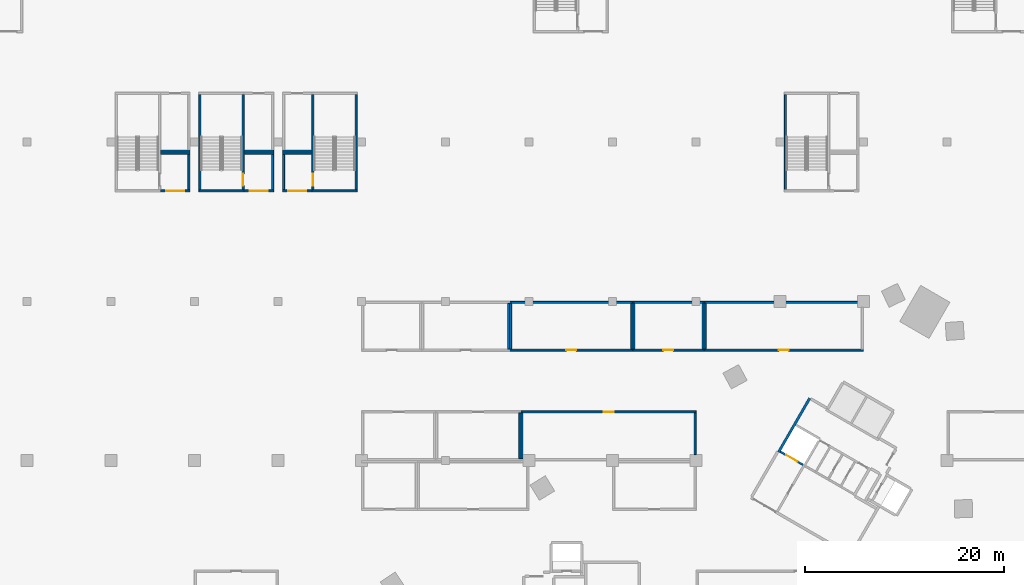
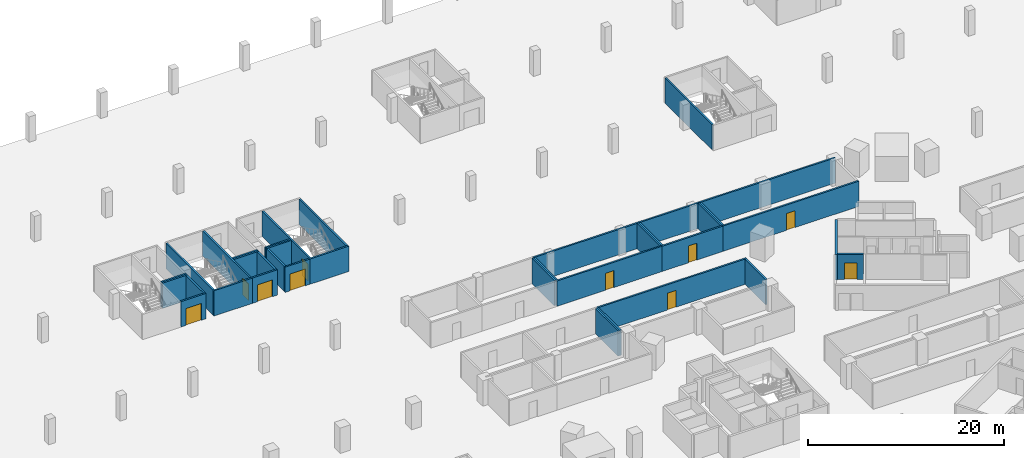
# One storey, part 11 of 37: 37 walls, 10 doors, 10 openings.
"""IFC4 building model written with IfcOpenShell, lengths in metres."""

from ifc_helpers import new_model, si_unit, direction, frame, frame_2d, origin, place, context, subcontext, project, spatial, rectangle, extrude, material, layer, layer_set, type_object, element, fill, save


model = new_model("IFC4")

# Units and contexts
model_context = context("Model", 3, precision=1e-05, world=origin(), true_north=direction((0.0, 1.0)))
body_context = subcontext(model_context, "Body", "Model", "MODEL_VIEW")
ifc_project = project(units=[si_unit("LENGTHUNIT", "METRE"), si_unit("AREAUNIT", "SQUARE_METRE"), si_unit("VOLUMEUNIT", "CUBIC_METRE"), si_unit("PLANEANGLEUNIT", "RADIAN"), si_unit("MASSUNIT", "GRAM", prefix="KILO")], contexts=[model_context])

# Site, building, storey
site_placement = place(None, origin())
site = spatial("IfcSite", under=ifc_project, at=site_placement, CompositionType="ELEMENT")
building_placement = place(site_placement, origin())
building = spatial("IfcBuilding", under=site, at=building_placement, Name="Tamra Quay Hotel Tower", CompositionType="ELEMENT")
storey_placement = place(building_placement, frame((0.0, 0.0, -3.60009765625)))
storey = spatial("IfcBuildingStorey", under=building, at=storey_placement, Name="B1", CompositionType="ELEMENT", Elevation=-3.60009765625)

# Wall
ifc_material_1 = material(Name="Blockwork", Category="masonry")
ifc_layer_1 = layer(ifc_material_1, 0.199951171875)
ifc_layer_set_1 = layer_set([ifc_layer_1], Name="Car park room wall 200")
wall_type_1 = type_object("IfcWallType", Name="Car park room wall 200", PredefinedType="PARTITIONING", material=ifc_layer_set_1)
wall_1_placement = place(storey_placement, frame((-22.800048828125, 16.199951171875, 0.0), z_axis=(0.0, 0.0, 1.0), x_axis=(0.0, 1.0, 0.0)))
element("IfcWall", 1, at=wall_1_placement, inside=storey, type_object=wall_type_1, Name="PW", PredefinedType="PARTITIONING", context=body_context, shape_type="SweptSolid", body=[
    extrude(rectangle(XDim=4.60009765625, YDim=0.199951171875, at=frame_2d((2.300048828125, 0.0))), origin(), (0.0, 0.0, 1.0), 3.150146484375),
])

# Wall, opening, door
wall_2_placement = place(storey_placement, frame((-22.699951171875, 20.89990234375, 0.0), z_axis=(0.0, 0.0, 1.0), x_axis=(1.0, 0.0, 0.0)))
wall_2 = element("IfcWall", 2, at=wall_2_placement, inside=storey, type_object=wall_type_1, Name="PW", PredefinedType="PARTITIONING", context=body_context, shape_type="SweptSolid", body=[
    extrude(rectangle(XDim=17.599853515625, YDim=0.199951171875, at=frame_2d((8.7998046875, 0.0))), origin(), (0.0, 0.0, 1.0), 3.150146484375),
])
opening_1_placement = place(wall_2_placement, frame((8.300048828125, 0.0, 0.0)))
opening_1 = element("IfcOpeningElement", 3, at=opening_1_placement, cuts=wall_2, Name="Opening PD1", PredefinedType="OPENING", context=body_context, shape_type="SweptSolid", body=[
    extrude(rectangle(XDim=1.0, YDim=2.10009765625, at=frame_2d((0.5, 1.050048828125))), frame((0.0, 0.10986328125, 0.0), z_axis=(0.0, -1.0, 0.0), x_axis=(1.0, 0.0, 0.0)), (0.0, 0.0, 1.0), 0.219970703125),
])
ifc_material_2 = material(Name="Car park door 1000 x 2100")
door_type_1 = type_object("IfcDoorType", Name="Car park door 1000 x 2100", OperationType="NOTDEFINED", PredefinedType="DOOR", material=ifc_material_2)
door_1_placement = place(opening_1_placement, origin())
door_1 = element("IfcDoor", 4, at=door_1_placement, inside=storey, type_object=door_type_1, Name="PD1", OperationType="SINGLE_SWING_LEFT", OverallHeight=2.10009765625, OverallWidth=1.0, PredefinedType="DOOR", context=body_context, shape_type="SweptSolid", body=[
    extrude(rectangle(XDim=1.0, YDim=2.10009765625, at=frame_2d((0.5, 1.050048828125))), frame((0.0, 0.02490234375, 0.0), z_axis=(0.0, -1.0, 0.0), x_axis=(1.0, 0.0, 0.0)), (0.0, 0.0, 1.0), 0.050048828125),
])
fill(opening_1, door_1)

# Walls
wall_3_placement = place(storey_placement, frame((-22.60009765625, 16.199951171875, 0.0), z_axis=(0.0, 0.0, 1.0), x_axis=(0.0, 1.0, 0.0)))
element("IfcWall", 5, at=wall_3_placement, inside=storey, type_object=wall_type_1, Name="PW", PredefinedType="PARTITIONING", context=body_context, shape_type="SweptSolid", body=[
    extrude(rectangle(XDim=4.60009765625, YDim=0.199951171875, at=frame_2d((2.300048828125, 0.0))), origin(), (0.0, 0.0, 1.0), 3.150146484375),
])
wall_4_placement = place(storey_placement, frame((-5.199951171875, 16.60009765625, 0.0), z_axis=(0.0, 0.0, 1.0), x_axis=(0.0, 1.0, 0.0)))
element("IfcWall", 6, at=wall_4_placement, inside=storey, type_object=wall_type_1, Name="PW", PredefinedType="PARTITIONING", context=body_context, shape_type="SweptSolid", body=[
    extrude(rectangle(XDim=4.199951171875, YDim=0.199951171875, at=frame_2d((2.10009765625, 0.0))), origin(), (0.0, 0.0, 1.0), 3.150146484375),
])
wall_5_placement = place(storey_placement, frame((-23.9453125, 27.199951171875, 0.0), z_axis=(0.0, 0.0, 1.0), x_axis=(0.0, 1.0, 0.0)))
element("IfcWall", 7, at=wall_5_placement, inside=storey, type_object=wall_type_1, Name="PW", PredefinedType="PARTITIONING", context=body_context, shape_type="SweptSolid", body=[
    extrude(rectangle(XDim=4.60009765625, YDim=0.199951171875, at=frame_2d((2.300048828125, 0.0))), origin(), (0.0, 0.0, 1.0), 3.150146484375),
])

# Wall, opening, door
wall_6_placement = place(storey_placement, frame((-23.84521484375, 27.10009765625, 0.0), z_axis=(0.0, 0.0, 1.0), x_axis=(1.0, 0.0, 0.0)))
wall_6 = element("IfcWall", 8, at=wall_6_placement, inside=storey, type_object=wall_type_1, Name="PW", PredefinedType="PARTITIONING", context=body_context, shape_type="SweptSolid", body=[
    extrude(rectangle(XDim=12.37890625, YDim=0.199951171875, at=frame_2d((6.189453125, 0.0))), origin(), (0.0, 0.0, 1.0), 3.150146484375),
])
opening_2_placement = place(wall_6_placement, frame((5.689453125, 0.0, 0.0)))
opening_2 = element("IfcOpeningElement", 9, at=opening_2_placement, cuts=wall_6, Name="Opening PD1", PredefinedType="OPENING", context=body_context, shape_type="SweptSolid", body=[
    extrude(rectangle(XDim=1.0, YDim=2.10009765625, at=frame_2d((0.5, 1.050048828125))), frame((0.0, 0.10986328125, 0.0), z_axis=(0.0, -1.0, 0.0), x_axis=(1.0, 0.0, 0.0)), (0.0, 0.0, 1.0), 0.219970703125),
])
door_2_placement = place(opening_2_placement, origin())
door_2 = element("IfcDoor", 10, at=door_2_placement, inside=storey, type_object=door_type_1, Name="PD1", OperationType="SINGLE_SWING_LEFT", OverallHeight=2.10009765625, OverallWidth=1.0, PredefinedType="DOOR", context=body_context, shape_type="SweptSolid", body=[
    extrude(rectangle(XDim=1.0, YDim=2.10009765625, at=frame_2d((0.5, 1.050048828125))), frame((0.0, 0.02490234375, 0.0), z_axis=(0.0, -1.0, 0.0), x_axis=(1.0, 0.0, 0.0)), (0.0, 0.0, 1.0), 0.050048828125),
])
fill(opening_2, door_2)

# Walls
wall_7_placement = place(storey_placement, frame((-23.84521484375, 31.89990234375, 0.0), z_axis=(0.0, 0.0, 1.0), x_axis=(1.0, 0.0, 0.0)))
element("IfcWall", 11, at=wall_7_placement, inside=storey, type_object=wall_type_1, Name="PW", PredefinedType="PARTITIONING", context=body_context, shape_type="SweptSolid", body=[
    extrude(rectangle(XDim=12.37890625, YDim=0.199951171875, at=frame_2d((6.189453125, 0.0))), origin(), (0.0, 0.0, 1.0), 3.150146484375),
])
for number, where, z_axis, x_axis, name in (
    (12, (-23.745361328125, 27.199951171875, 0.0), (0.0, 0.0, 1.0), (0.0, 1.0, 0.0), "PW"),
    (13, (-11.56640625, 27.199951171875, 0.0), (0.0, 0.0, 1.0), (0.0, 1.0, 0.0), "PW"),
):
    element("IfcWall", number, at=place(storey_placement, frame(where, z_axis=z_axis, x_axis=x_axis)), inside=storey, type_object=wall_type_1, Name=name, PredefinedType="PARTITIONING", context=body_context, shape_type="SweptSolid", body=[
        extrude(rectangle(XDim=4.60009765625, YDim=0.199951171875, at=frame_2d((2.300048828125, 0.0))), origin(), (0.0, 0.0, 1.0), 3.150146484375),
    ])

# Wall, opening, door
wall_8_placement = place(storey_placement, frame((-11.46630859375, 27.10009765625, 0.0), z_axis=(0.0, 0.0, 1.0), x_axis=(1.0, 0.0, 0.0)))
wall_8 = element("IfcWall", 14, at=wall_8_placement, inside=storey, type_object=wall_type_1, Name="PW", PredefinedType="PARTITIONING", context=body_context, shape_type="SweptSolid", body=[
    extrude(rectangle(XDim=7.166259765625, YDim=0.199951171875, at=frame_2d((3.5830078125, 0.0))), origin(), (0.0, 0.0, 1.0), 3.150146484375),
])
opening_3_placement = place(wall_8_placement, frame((3.083251953125, 0.0, 0.0)))
opening_3 = element("IfcOpeningElement", 15, at=opening_3_placement, cuts=wall_8, Name="Opening PD1", PredefinedType="OPENING", context=body_context, shape_type="SweptSolid", body=[
    extrude(rectangle(XDim=1.0, YDim=2.10009765625, at=frame_2d((0.5, 1.050048828125))), frame((0.0, 0.10986328125, 0.0), z_axis=(0.0, -1.0, 0.0), x_axis=(1.0, 0.0, 0.0)), (0.0, 0.0, 1.0), 0.219970703125),
])
door_3_placement = place(opening_3_placement, origin())
door_3 = element("IfcDoor", 16, at=door_3_placement, inside=storey, type_object=door_type_1, Name="PD1", OperationType="SINGLE_SWING_LEFT", OverallHeight=2.10009765625, OverallWidth=1.0, PredefinedType="DOOR", context=body_context, shape_type="SweptSolid", body=[
    extrude(rectangle(XDim=1.0, YDim=2.10009765625, at=frame_2d((0.5, 1.050048828125))), frame((0.0, 0.02490234375, 0.0), z_axis=(0.0, -1.0, 0.0), x_axis=(1.0, 0.0, 0.0)), (0.0, 0.0, 1.0), 0.050048828125),
])
fill(opening_3, door_3)

# Walls
wall_9_placement = place(storey_placement, frame((-11.46630859375, 31.89990234375, 0.0), z_axis=(0.0, 0.0, 1.0), x_axis=(1.0, 0.0, 0.0)))
element("IfcWall", 17, at=wall_9_placement, inside=storey, type_object=wall_type_1, Name="PW", PredefinedType="PARTITIONING", context=body_context, shape_type="SweptSolid", body=[
    extrude(rectangle(XDim=7.166259765625, YDim=0.199951171875, at=frame_2d((3.5830078125, 0.0))), origin(), (0.0, 0.0, 1.0), 3.150146484375),
])
for number, where, z_axis, x_axis, name in (
    (18, (-11.3662109375, 27.199951171875, 0.0), (0.0, 0.0, 1.0), (0.0, 1.0, 0.0), "PW"),
    (19, (-4.39990234375, 27.199951171875, 0.0), (0.0, 0.0, 1.0), (0.0, 1.0, 0.0), "PW"),
):
    element("IfcWall", number, at=place(storey_placement, frame(where, z_axis=z_axis, x_axis=x_axis)), inside=storey, type_object=wall_type_1, Name=name, PredefinedType="PARTITIONING", context=body_context, shape_type="SweptSolid", body=[
        extrude(rectangle(XDim=4.60009765625, YDim=0.199951171875, at=frame_2d((2.300048828125, 0.0))), origin(), (0.0, 0.0, 1.0), 3.150146484375),
    ])

# Wall, opening, door
wall_10_placement = place(storey_placement, frame((-4.300048828125, 27.10009765625, 0.0), z_axis=(0.0, 0.0, 1.0), x_axis=(1.0, 0.0, 0.0)))
wall_10 = element("IfcWall", 20, at=wall_10_placement, inside=storey, type_object=wall_type_1, Name="PW", PredefinedType="PARTITIONING", context=body_context, shape_type="SweptSolid", body=[
    extrude(rectangle(XDim=16.0, YDim=0.199951171875, at=frame_2d((8.0, 0.0))), origin(), (0.0, 0.0, 1.0), 3.150146484375),
])
opening_4_placement = place(wall_10_placement, frame((7.5, 0.0, 0.0)))
opening_4 = element("IfcOpeningElement", 21, at=opening_4_placement, cuts=wall_10, Name="Opening PD1", PredefinedType="OPENING", context=body_context, shape_type="SweptSolid", body=[
    extrude(rectangle(XDim=1.0, YDim=2.10009765625, at=frame_2d((0.5, 1.050048828125))), frame((0.0, 0.10986328125, 0.0), z_axis=(0.0, -1.0, 0.0), x_axis=(1.0, 0.0, 0.0)), (0.0, 0.0, 1.0), 0.219970703125),
])
door_4_placement = place(opening_4_placement, origin())
door_4 = element("IfcDoor", 22, at=door_4_placement, inside=storey, type_object=door_type_1, Name="PD1", OperationType="SINGLE_SWING_LEFT", OverallHeight=2.10009765625, OverallWidth=1.0, PredefinedType="DOOR", context=body_context, shape_type="SweptSolid", body=[
    extrude(rectangle(XDim=1.0, YDim=2.10009765625, at=frame_2d((0.5, 1.050048828125))), frame((0.0, 0.02490234375, 0.0), z_axis=(0.0, -1.0, 0.0), x_axis=(1.0, 0.0, 0.0)), (0.0, 0.0, 1.0), 0.050048828125),
])
fill(opening_4, door_4)

# Walls
wall_11_placement = place(storey_placement, frame((-4.300048828125, 31.89990234375, 0.0), z_axis=(0.0, 0.0, 1.0), x_axis=(1.0, 0.0, 0.0)))
element("IfcWall", 23, at=wall_11_placement, inside=storey, type_object=wall_type_1, Name="PW", PredefinedType="PARTITIONING", context=body_context, shape_type="SweptSolid", body=[
    extrude(rectangle(XDim=16.0, YDim=0.199951171875, at=frame_2d((8.0, 0.0))), origin(), (0.0, 0.0, 1.0), 3.150146484375),
])
wall_12_placement = place(storey_placement, frame((-4.199951171875, 27.199951171875, 0.0), z_axis=(0.0, 0.0, 1.0), x_axis=(0.0, 1.0, 0.0)))
element("IfcWall", 24, at=wall_12_placement, inside=storey, type_object=wall_type_1, Name="PW", PredefinedType="PARTITIONING", context=body_context, shape_type="SweptSolid", body=[
    extrude(rectangle(XDim=4.60009765625, YDim=0.199951171875, at=frame_2d((2.300048828125, 0.0))), origin(), (0.0, 0.0, 1.0), 3.150146484375),
])

# Wall, opening, door
wall_13_placement = place(storey_placement, frame((-58.89990234375, 43.10009765625, 0.0), z_axis=(0.0, 0.0, 1.0), x_axis=(1.0, 0.0, 0.0)))
wall_13 = element("IfcWall", 25, at=wall_13_placement, inside=storey, type_object=wall_type_1, Name="PW", PredefinedType="PARTITIONING", context=body_context, shape_type="SweptSolid", body=[
    extrude(rectangle(XDim=2.949951171875, YDim=0.199951171875, at=frame_2d((1.47509765625, 0.0))), origin(), (0.0, 0.0, 1.0), 3.150146484375),
])
opening_5_placement = place(wall_13_placement, frame((0.574951171875, 0.0, 0.0)))
opening_5 = element("IfcOpeningElement", 26, at=opening_5_placement, cuts=wall_13, Name="Opening PD2", PredefinedType="OPENING", context=body_context, shape_type="SweptSolid", body=[
    extrude(rectangle(XDim=1.800048828125, YDim=2.10009765625, at=frame_2d((0.89990234375, 1.050048828125))), frame((0.0, 0.10986328125, 0.0), z_axis=(0.0, -1.0, 0.0), x_axis=(1.0, 0.0, 0.0)), (0.0, 0.0, 1.0), 0.219970703125),
])
ifc_material_3 = material(Name="Plant door 1800 x 2100")
door_type_2 = type_object("IfcDoorType", Name="Plant door 1800 x 2100", OperationType="DOUBLE_DOOR_SINGLE_SWING", PredefinedType="DOOR", material=ifc_material_3)
door_5_placement = place(opening_5_placement, origin())
door_5 = element("IfcDoor", 27, at=door_5_placement, inside=storey, type_object=door_type_2, Name="PD2", OperationType="DOUBLE_DOOR_SINGLE_SWING", OverallHeight=2.10009765625, OverallWidth=1.800048828125, PredefinedType="DOOR", context=body_context, shape_type="SweptSolid", body=[
    extrude(rectangle(XDim=1.800048828125, YDim=2.10009765625, at=frame_2d((0.89990234375, 1.050048828125))), frame((0.0, 0.02490234375, 0.0), z_axis=(0.0, -1.0, 0.0), x_axis=(1.0, 0.0, 0.0)), (0.0, 0.0, 1.0), 0.050048828125),
])
fill(opening_5, door_5)

# Walls
wall_14_placement = place(storey_placement, frame((-58.89990234375, 46.89990234375, 0.0), z_axis=(0.0, 0.0, 1.0), x_axis=(1.0, 0.0, 0.0)))
element("IfcWall", 28, at=wall_14_placement, inside=storey, type_object=wall_type_1, Name="PW", PredefinedType="PARTITIONING", context=body_context, shape_type="SweptSolid", body=[
    extrude(rectangle(XDim=2.949951171875, YDim=0.199951171875, at=frame_2d((1.47509765625, 0.0))), origin(), (0.0, 0.0, 1.0), 3.150146484375),
])
wall_15_placement = place(storey_placement, frame((-56.050048828125, 43.199951171875, 0.0), z_axis=(0.0, 0.0, 1.0), x_axis=(0.0, 1.0, 0.0)))
element("IfcWall", 29, at=wall_15_placement, inside=storey, type_object=wall_type_1, Name="PW", PredefinedType="PARTITIONING", context=body_context, shape_type="SweptSolid", body=[
    extrude(rectangle(XDim=3.60009765625, YDim=0.199951171875, at=frame_2d((1.800048828125, 0.0))), origin(), (0.0, 0.0, 1.0), 3.150146484375),
])
wall_16_placement = place(storey_placement, frame((-58.89990234375, 47.10009765625, 0.0), z_axis=(0.0, 0.0, 1.0), x_axis=(1.0, 0.0, 0.0)))
element("IfcWall", 30, at=wall_16_placement, inside=storey, type_object=wall_type_1, Name="PW", PredefinedType="PARTITIONING", context=body_context, shape_type="SweptSolid", body=[
    extrude(rectangle(XDim=2.949951171875, YDim=0.199951171875, at=frame_2d((1.47509765625, 0.0))), origin(), (0.0, 0.0, 1.0), 3.150146484375),
])

# Wall, opening, door
wall_17_placement = place(storey_placement, frame((-50.5, 43.10009765625, 0.0), z_axis=(0.0, 0.0, 1.0), x_axis=(1.0, 0.0, 0.0)))
wall_17 = element("IfcWall", 31, at=wall_17_placement, inside=storey, type_object=wall_type_1, Name="PW", PredefinedType="PARTITIONING", context=body_context, shape_type="SweptSolid", body=[
    extrude(rectangle(XDim=2.949951171875, YDim=0.199951171875, at=frame_2d((1.47509765625, 0.0))), origin(), (0.0, 0.0, 1.0), 3.150146484375),
])
opening_6_placement = place(wall_17_placement, frame((0.574951171875, 0.0, 0.0)))
opening_6 = element("IfcOpeningElement", 32, at=opening_6_placement, cuts=wall_17, Name="Opening PD2", PredefinedType="OPENING", context=body_context, shape_type="SweptSolid", body=[
    extrude(rectangle(XDim=1.800048828125, YDim=2.10009765625, at=frame_2d((0.89990234375, 1.050048828125))), frame((0.0, 0.10986328125, 0.0), z_axis=(0.0, -1.0, 0.0), x_axis=(1.0, 0.0, 0.0)), (0.0, 0.0, 1.0), 0.219970703125),
])
door_6_placement = place(opening_6_placement, origin())
door_6 = element("IfcDoor", 33, at=door_6_placement, inside=storey, type_object=door_type_2, Name="PD2", OperationType="DOUBLE_DOOR_SINGLE_SWING", OverallHeight=2.10009765625, OverallWidth=1.800048828125, PredefinedType="DOOR", context=body_context, shape_type="SweptSolid", body=[
    extrude(rectangle(XDim=1.800048828125, YDim=2.10009765625, at=frame_2d((0.89990234375, 1.050048828125))), frame((0.0, 0.02490234375, 0.0), z_axis=(0.0, -1.0, 0.0), x_axis=(1.0, 0.0, 0.0)), (0.0, 0.0, 1.0), 0.050048828125),
])
fill(opening_6, door_6)

# Walls
wall_18_placement = place(storey_placement, frame((-50.5, 46.89990234375, 0.0), z_axis=(0.0, 0.0, 1.0), x_axis=(1.0, 0.0, 0.0)))
element("IfcWall", 34, at=wall_18_placement, inside=storey, type_object=wall_type_1, Name="PW", PredefinedType="PARTITIONING", context=body_context, shape_type="SweptSolid", body=[
    extrude(rectangle(XDim=2.949951171875, YDim=0.199951171875, at=frame_2d((1.47509765625, 0.0))), origin(), (0.0, 0.0, 1.0), 3.150146484375),
])
wall_19_placement = place(storey_placement, frame((-47.64990234375, 43.199951171875, 0.0), z_axis=(0.0, 0.0, 1.0), x_axis=(0.0, 1.0, 0.0)))
element("IfcWall", 35, at=wall_19_placement, inside=storey, type_object=wall_type_1, Name="PW", PredefinedType="PARTITIONING", context=body_context, shape_type="SweptSolid", body=[
    extrude(rectangle(XDim=3.60009765625, YDim=0.199951171875, at=frame_2d((1.800048828125, 0.0))), origin(), (0.0, 0.0, 1.0), 3.150146484375),
])
wall_20_placement = place(storey_placement, frame((-50.5, 47.10009765625, 0.0), z_axis=(0.0, 0.0, 1.0), x_axis=(1.0, 0.0, 0.0)))
element("IfcWall", 36, at=wall_20_placement, inside=storey, type_object=wall_type_1, Name="PW", PredefinedType="PARTITIONING", context=body_context, shape_type="SweptSolid", body=[
    extrude(rectangle(XDim=2.949951171875, YDim=0.199951171875, at=frame_2d((1.47509765625, 0.0))), origin(), (0.0, 0.0, 1.0), 3.150146484375),
])

# Wall, opening, door
wall_21_placement = place(storey_placement, frame((-46.64990234375, 43.10009765625, 0.0), z_axis=(0.0, 0.0, 1.0), x_axis=(1.0, 0.0, 0.0)))
wall_21 = element("IfcWall", 37, at=wall_21_placement, inside=storey, type_object=wall_type_1, Name="PW", PredefinedType="PARTITIONING", context=body_context, shape_type="SweptSolid", body=[
    extrude(rectangle(XDim=2.949951171875, YDim=0.199951171875, at=frame_2d((1.47509765625, 0.0))), origin(), (0.0, 0.0, 1.0), 3.150146484375),
])
opening_7_placement = place(wall_21_placement, frame((0.574951171875, 0.0, 0.0)))
opening_7 = element("IfcOpeningElement", 38, at=opening_7_placement, cuts=wall_21, Name="Opening PD2", PredefinedType="OPENING", context=body_context, shape_type="SweptSolid", body=[
    extrude(rectangle(XDim=1.800048828125, YDim=2.10009765625, at=frame_2d((0.89990234375, 1.050048828125))), frame((0.0, 0.10986328125, 0.0), z_axis=(0.0, -1.0, 0.0), x_axis=(1.0, 0.0, 0.0)), (0.0, 0.0, 1.0), 0.219970703125),
])
door_7_placement = place(opening_7_placement, origin())
door_7 = element("IfcDoor", 39, at=door_7_placement, inside=storey, type_object=door_type_2, Name="PD2", OperationType="DOUBLE_DOOR_SINGLE_SWING", OverallHeight=2.10009765625, OverallWidth=1.800048828125, PredefinedType="DOOR", context=body_context, shape_type="SweptSolid", body=[
    extrude(rectangle(XDim=1.800048828125, YDim=2.10009765625, at=frame_2d((0.89990234375, 1.050048828125))), frame((0.0, 0.02490234375, 0.0), z_axis=(0.0, -1.0, 0.0), x_axis=(1.0, 0.0, 0.0)), (0.0, 0.0, 1.0), 0.050048828125),
])
fill(opening_7, door_7)

# Walls
wall_22_placement = place(storey_placement, frame((-46.64990234375, 46.89990234375, 0.0), z_axis=(0.0, 0.0, 1.0), x_axis=(1.0, 0.0, 0.0)))
element("IfcWall", 40, at=wall_22_placement, inside=storey, type_object=wall_type_1, Name="PW", PredefinedType="PARTITIONING", context=body_context, shape_type="SweptSolid", body=[
    extrude(rectangle(XDim=2.949951171875, YDim=0.199951171875, at=frame_2d((1.47509765625, 0.0))), origin(), (0.0, 0.0, 1.0), 3.150146484375),
])
wall_23_placement = place(storey_placement, frame((-46.550048828125, 43.199951171875, 0.0), z_axis=(0.0, 0.0, 1.0), x_axis=(0.0, 1.0, 0.0)))
element("IfcWall", 41, at=wall_23_placement, inside=storey, type_object=wall_type_1, Name="PW", PredefinedType="PARTITIONING", context=body_context, shape_type="SweptSolid", body=[
    extrude(rectangle(XDim=3.60009765625, YDim=0.199951171875, at=frame_2d((1.800048828125, 0.0))), origin(), (0.0, 0.0, 1.0), 3.150146484375),
])
wall_24_placement = place(storey_placement, frame((-46.64990234375, 47.10009765625, 0.0), z_axis=(0.0, 0.0, 1.0), x_axis=(1.0, 0.0, 0.0)))
element("IfcWall", 42, at=wall_24_placement, inside=storey, type_object=wall_type_1, Name="PW", PredefinedType="PARTITIONING", context=body_context, shape_type="SweptSolid", body=[
    extrude(rectangle(XDim=2.949951171875, YDim=0.199951171875, at=frame_2d((1.47509765625, 0.0))), origin(), (0.0, 0.0, 1.0), 3.150146484375),
])

# Wall, opening, door
ifc_material_4 = material(Name="Concrete M70", Category="concrete")
ifc_layer_2 = layer(ifc_material_4, 0.199951171875)
ifc_layer_set_2 = layer_set([ifc_layer_2], Name="Concrete M70 core wall 200")
wall_type_2 = type_object("IfcWallType", Name="Concrete M70 core wall 200", PredefinedType="SHEAR", material=ifc_layer_set_2)
wall_25_placement = place(storey_placement, frame((5.64453125, 15.576904296875, 0.0), z_axis=(0.0, 0.0, 1.0), x_axis=(-0.866016748302, 0.500014991436, 0.0)))
wall_25 = element("IfcWall", 43, at=wall_25_placement, inside=storey, type_object=wall_type_2, Name="CW2", PredefinedType="SHEAR", context=body_context, shape_type="SweptSolid", body=[
    extrude(rectangle(XDim=2.64892578125, YDim=0.199951171875, at=frame_2d((1.324462890625, 0.0))), origin(), (0.0, 0.0, 1.0), 3.150146484375),
])
opening_8_placement = place(wall_25_placement, frame((0.64990234375, 0.0, 0.0)))
opening_8 = element("IfcOpeningElement", 44, at=opening_8_placement, cuts=wall_25, Name="Opening LD", PredefinedType="OPENING", context=body_context, shape_type="SweptSolid", body=[
    extrude(rectangle(XDim=1.300048828125, YDim=2.10009765625, at=frame_2d((0.64990234375, 1.050048828125))), frame((0.0, 0.10986328125, 0.0), z_axis=(0.0, -1.0, 0.0), x_axis=(1.0, 0.0, 0.0)), (0.0, 0.0, 1.0), 0.219970703125),
])
ifc_material_5 = material(Name="Landing door LD 1300 sliding to right")
door_type_3 = type_object("IfcDoorType", Name="Landing door LD 1300 sliding to right", OperationType="NOTDEFINED", PredefinedType="DOOR", material=ifc_material_5)
door_8_placement = place(opening_8_placement, origin())
door_8 = element("IfcDoor", 45, at=door_8_placement, inside=storey, type_object=door_type_3, Name="LD", OperationType="SLIDING_TO_RIGHT", OverallHeight=2.10009765625, OverallWidth=1.300048828125, PredefinedType="DOOR", context=body_context, shape_type="SweptSolid", body=[
    extrude(rectangle(XDim=1.300048828125, YDim=2.10009765625, at=frame_2d((0.64990234375, 1.050048828125))), frame((0.0, 0.02490234375, 0.0), z_axis=(0.0, -1.0, 0.0), x_axis=(1.0, 0.0, 0.0)), (0.0, 0.0, 1.0), 0.050048828125),
])
fill(opening_8, door_8)

# Walls
ifc_layer_3 = layer(ifc_material_4, 0.25)
ifc_layer_set_3 = layer_set([ifc_layer_3], Name="Concrete M70 core wall 250")
wall_type_3 = type_object("IfcWallType", Name="Concrete M70 core wall 250", PredefinedType="SHEAR", material=ifc_layer_set_3)
wall_26_placement = place(storey_placement, frame((3.178955078125, 16.856201171875, 0.0), z_axis=(0.0, 0.0, 1.0), x_axis=(0.500004234368, 0.866022959057, 0.0)))
element("IfcWall", 46, at=wall_26_placement, inside=storey, type_object=wall_type_3, Name="CW1", PredefinedType="SHEAR", context=body_context, shape_type="SweptSolid", body=[
    extrude(rectangle(XDim=6.25, YDim=0.25, at=frame_2d((3.125, 0.0))), origin(), (0.0, 0.0, 1.0), 3.150146484375),
])
ifc_layer_4 = layer(ifc_material_4, 0.199951171875)
ifc_layer_set_4 = layer_set([ifc_layer_4], Name="Concrete M70 stair enclosure wall 200")
wall_type_4 = type_object("IfcWallType", Name="Concrete M70 stair enclosure wall 200", PredefinedType="SOLIDWALL", material=ifc_layer_set_4)
wall_27_placement = place(storey_placement, frame((-54.949951171875, 43.199951171875, 0.0), z_axis=(0.0, 0.0, 1.0), x_axis=(0.0, 1.0, 0.0)))
element("IfcWall", 47, at=wall_27_placement, inside=storey, type_object=wall_type_4, Name="SEW", PredefinedType="SOLIDWALL", context=body_context, shape_type="SweptSolid", body=[
    extrude(rectangle(XDim=9.60009765625, YDim=0.199951171875, at=frame_2d((4.800048828125, 0.0))), origin(), (0.0, 0.0, 1.0), 3.150146484375),
])

# Wall, opening, door
wall_28_placement = place(storey_placement, frame((-50.60009765625, 43.199951171875, 0.0), z_axis=(0.0, 0.0, 1.0), x_axis=(0.0, 1.0, 0.0)))
wall_28 = element("IfcWall", 48, at=wall_28_placement, inside=storey, type_object=wall_type_4, Name="SEW", PredefinedType="SOLIDWALL", context=body_context, shape_type="SweptSolid", body=[
    extrude(rectangle(XDim=9.60009765625, YDim=0.199951171875, at=frame_2d((4.800048828125, 0.0))), origin(), (0.0, 0.0, 1.0), 3.150146484375),
])
opening_9_placement = place(wall_28_placement, frame((0.39990234375, 0.0, 0.0)))
opening_9 = element("IfcOpeningElement", 49, at=opening_9_placement, cuts=wall_28, Name="Opening SD1", PredefinedType="OPENING", context=body_context, shape_type="SweptSolid", body=[
    extrude(rectangle(XDim=1.199951171875, YDim=2.10009765625, at=frame_2d((0.60009765625, 1.050048828125))), frame((0.0, 0.10986328125, 0.0), z_axis=(0.0, -1.0, 0.0), x_axis=(1.0, 0.0, 0.0)), (0.0, 0.0, 1.0), 0.219970703125),
])
ifc_material_6 = material(Name="Stair door 1200 x 2100")
door_type_4 = type_object("IfcDoorType", Name="Stair door 1200 x 2100", OperationType="NOTDEFINED", PredefinedType="DOOR", material=ifc_material_6)
door_9_placement = place(opening_9_placement, origin())
door_9 = element("IfcDoor", 50, at=door_9_placement, inside=storey, type_object=door_type_4, Name="SD1", OperationType="SINGLE_SWING_LEFT", OverallHeight=2.10009765625, OverallWidth=1.199951171875, PredefinedType="DOOR", context=body_context, shape_type="SweptSolid", body=[
    extrude(rectangle(XDim=1.199951171875, YDim=2.10009765625, at=frame_2d((0.60009765625, 1.050048828125))), frame((0.0, 0.02490234375, 0.0), z_axis=(0.0, -1.0, 0.0), x_axis=(1.0, 0.0, 0.0)), (0.0, 0.0, 1.0), 0.050048828125),
])
fill(opening_9, door_9)

# Walls
wall_29_placement = place(storey_placement, frame((-50.5, 43.10009765625, 0.0), z_axis=(0.0, 0.0, 1.0), x_axis=(-1.0, 0.0, 0.0)))
element("IfcWall", 51, at=wall_29_placement, inside=storey, type_object=wall_type_4, Name="SEW", PredefinedType="SOLIDWALL", context=body_context, shape_type="SweptSolid", body=[
    extrude(rectangle(XDim=4.550048828125, YDim=0.199951171875, at=frame_2d((2.27490234375, 0.0))), origin(), (0.0, 0.0, 1.0), 3.150146484375),
])
wall_30_placement = place(storey_placement, frame((3.85009765625, 43.199951171875, 0.0), z_axis=(0.0, 0.0, 1.0), x_axis=(0.0, 1.0, 0.0)))
element("IfcWall", 52, at=wall_30_placement, inside=storey, type_object=wall_type_4, Name="SEW", PredefinedType="SOLIDWALL", context=body_context, shape_type="SweptSolid", body=[
    extrude(rectangle(XDim=9.60009765625, YDim=0.199951171875, at=frame_2d((4.800048828125, 0.0))), origin(), (0.0, 0.0, 1.0), 3.150146484375),
])

# Wall, opening, door
wall_31_placement = place(storey_placement, frame((-43.60009765625, 43.199951171875, 0.0), z_axis=(0.0, 0.0, 1.0), x_axis=(0.0, 1.0, 0.0)))
wall_31 = element("IfcWall", 53, at=wall_31_placement, inside=storey, type_object=wall_type_4, Name="SEW", PredefinedType="SOLIDWALL", context=body_context, shape_type="SweptSolid", body=[
    extrude(rectangle(XDim=9.60009765625, YDim=0.199951171875, at=frame_2d((4.800048828125, 0.0))), origin(), (0.0, 0.0, 1.0), 3.150146484375),
])
opening_10_placement = place(wall_31_placement, frame((0.39990234375, 0.0, 0.0)))
opening_10 = element("IfcOpeningElement", 54, at=opening_10_placement, cuts=wall_31, Name="Opening SD1", PredefinedType="OPENING", context=body_context, shape_type="SweptSolid", body=[
    extrude(rectangle(XDim=1.199951171875, YDim=2.10009765625, at=frame_2d((0.60009765625, 1.050048828125))), frame((0.0, 0.10986328125, 0.0), z_axis=(0.0, -1.0, 0.0), x_axis=(1.0, 0.0, 0.0)), (0.0, 0.0, 1.0), 0.219970703125),
])
door_10_placement = place(opening_10_placement, origin())
door_10 = element("IfcDoor", 55, at=door_10_placement, inside=storey, type_object=door_type_4, Name="SD1", OperationType="SINGLE_SWING_LEFT", OverallHeight=2.10009765625, OverallWidth=1.199951171875, PredefinedType="DOOR", context=body_context, shape_type="SweptSolid", body=[
    extrude(rectangle(XDim=1.199951171875, YDim=2.10009765625, at=frame_2d((0.60009765625, 1.050048828125))), frame((0.0, 0.02490234375, 0.0), z_axis=(0.0, -1.0, 0.0), x_axis=(1.0, 0.0, 0.0)), (0.0, 0.0, 1.0), 0.050048828125),
])
fill(opening_10, door_10)

# Walls
wall_32_placement = place(storey_placement, frame((-39.25, 43.199951171875, 0.0), z_axis=(0.0, 0.0, 1.0), x_axis=(0.0, 1.0, 0.0)))
element("IfcWall", 56, at=wall_32_placement, inside=storey, type_object=wall_type_4, Name="SEW", PredefinedType="SOLIDWALL", context=body_context, shape_type="SweptSolid", body=[
    extrude(rectangle(XDim=9.60009765625, YDim=0.199951171875, at=frame_2d((4.800048828125, 0.0))), origin(), (0.0, 0.0, 1.0), 3.150146484375),
])
wall_33_placement = place(storey_placement, frame((-39.14990234375, 43.10009765625, 0.0), z_axis=(0.0, 0.0, 1.0), x_axis=(-1.0, 0.0, 0.0)))
element("IfcWall", 57, at=wall_33_placement, inside=storey, type_object=wall_type_4, Name="SEW", PredefinedType="SOLIDWALL", context=body_context, shape_type="SweptSolid", body=[
    extrude(rectangle(XDim=4.550048828125, YDim=0.199951171875, at=frame_2d((2.27490234375, 0.0))), origin(), (0.0, 0.0, 1.0), 3.150146484375),
])

save(model, "model.ifc")
